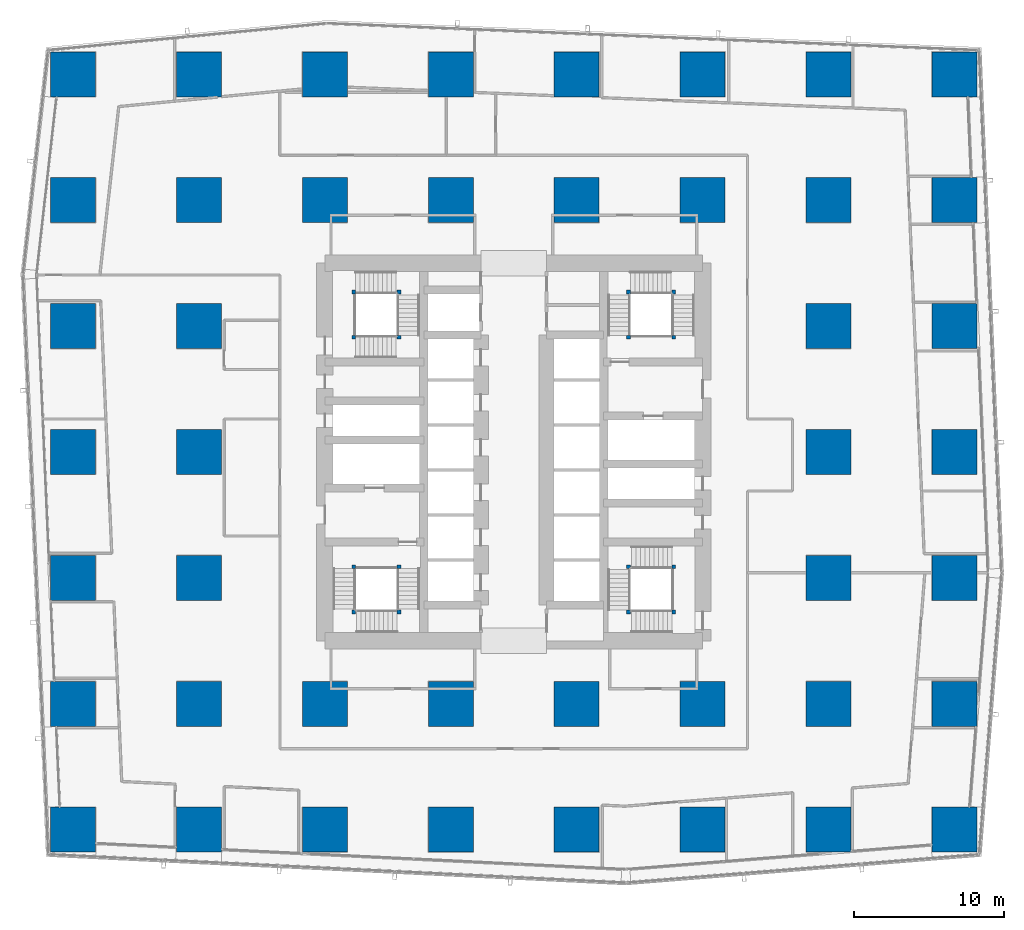
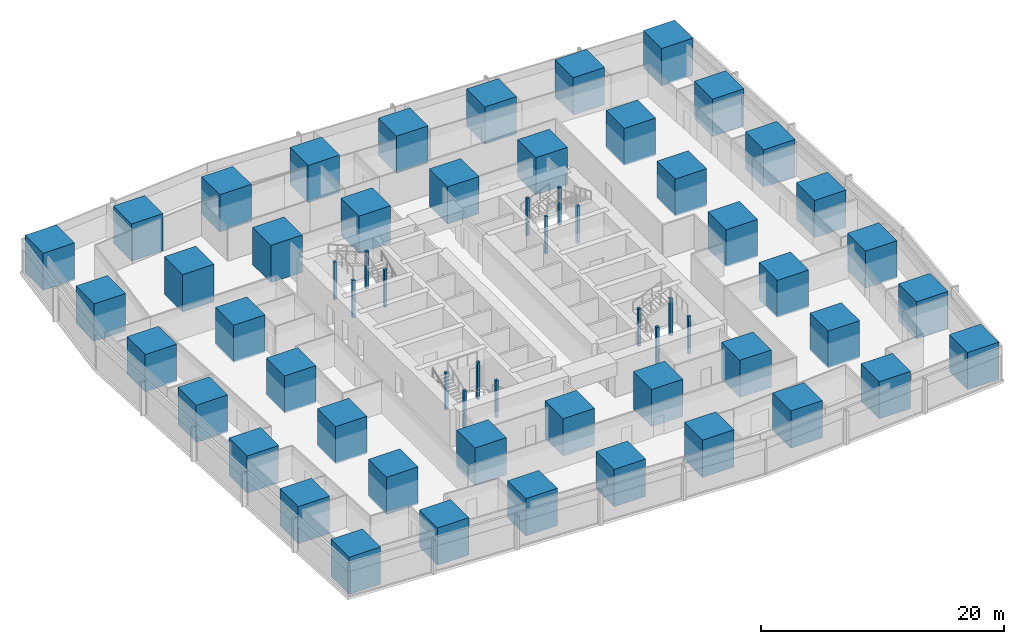
# One storey, part 1 of 44: 60 columns.
"""IFC4 building model written with IfcOpenShell, lengths in metres."""

from ifc_helpers import new_model, si_unit, direction, frame, origin, origin_2d, place, context, subcontext, project, spatial, rectangle, extrude, material, material_profile, profile_set, type_object, element, save


model = new_model("IFC4")

# Units and contexts
model_context = context("Model", 3, precision=1e-05, world=origin(), true_north=direction((0.0, 1.0)))
body_context = subcontext(model_context, "Body", "Model", "MODEL_VIEW")
ifc_project = project(units=[si_unit("LENGTHUNIT", "METRE"), si_unit("AREAUNIT", "SQUARE_METRE"), si_unit("VOLUMEUNIT", "CUBIC_METRE"), si_unit("PLANEANGLEUNIT", "RADIAN"), si_unit("MASSUNIT", "GRAM", prefix="KILO")], contexts=[model_context])

# Site, building, storey
site_placement = place(None, origin())
site = spatial("IfcSite", under=ifc_project, at=site_placement, CompositionType="ELEMENT")
building_placement = place(site_placement, origin())
building = spatial("IfcBuilding", under=site, at=building_placement, Name="Rekha Terrace Tower", CompositionType="ELEMENT")
storey_placement = place(building_placement, frame((0.0, 0.0, 81.64990234375)))
storey = spatial("IfcBuildingStorey", under=building, at=storey_placement, Name="L20", CompositionType="ELEMENT", Elevation=81.64990234375)

# Columns
ifc_material_1 = material(Name="Concrete M70", Category="concrete")
ifc_material_profile_1 = material_profile(ifc_material_1, rectangle(XDim=3.0, YDim=3.0, at=origin_2d()), Name="RC 3000x3000")
ifc_profile_set_1 = profile_set([ifc_material_profile_1], Name="Concrete M70")
column_type_1 = type_object("IfcColumnType", Name="C2T 3000x3000 column", PredefinedType="COLUMN", material=ifc_profile_set_1)
for number, where, z_axis, x_axis, name in (
    (1, (8.39990234375, 8.39990234375, 0.0), (0.0, 0.0, 1.0), (1.0, 0.0, 0.0), "Column C2T 2/B L20"),
    (2, (8.39990234375, 16.800048828125, 0.0), (0.0, 0.0, 1.0), (1.0, 0.0, 0.0), "Column C2T 2/C L20"),
    (3, (8.39990234375, 25.199951171875, 0.0), (0.0, 0.0, 1.0), (1.0, 0.0, 0.0), "Column C2T 2/D L20"),
    (4, (8.39990234375, 33.60009765625, 0.0), (0.0, 0.0, 1.0), (1.0, 0.0, 0.0), "Column C2T 2/E L20"),
    (5, (8.39990234375, 42.0, 0.0), (0.0, 0.0, 1.0), (1.0, 0.0, 0.0), "Column C2T 2/F L20"),
    (6, (8.39990234375, 50.39990234375, 0.0), (0.0, 0.0, 1.0), (1.0, 0.0, 0.0), "Column C2T 2/G L20"),
    (7, (8.39990234375, 58.800048828125, 0.0), (0.0, 0.0, 1.0), (1.0, 0.0, 0.0), "Column C2T 2/H L20"),
    (8, (16.800048828125, 8.39990234375, 0.0), (0.0, 0.0, 1.0), (1.0, 0.0, 0.0), "Column C2T 3/B L20"),
    (9, (16.800048828125, 16.800048828125, 0.0), (0.0, 0.0, 1.0), (1.0, 0.0, 0.0), "Column C2T 3/C L20"),
    (10, (16.800048828125, 25.199951171875, 0.0), (0.0, 0.0, 1.0), (1.0, 0.0, 0.0), "Column C2T 3/D L20"),
    (11, (16.800048828125, 33.60009765625, 0.0), (0.0, 0.0, 1.0), (1.0, 0.0, 0.0), "Column C2T 3/E L20"),
    (12, (16.800048828125, 42.0, 0.0), (0.0, 0.0, 1.0), (1.0, 0.0, 0.0), "Column C2T 3/F L20"),
    (13, (16.800048828125, 50.39990234375, 0.0), (0.0, 0.0, 1.0), (1.0, 0.0, 0.0), "Column C2T 3/G L20"),
    (14, (16.800048828125, 58.800048828125, 0.0), (0.0, 0.0, 1.0), (1.0, 0.0, 0.0), "Column C2T 3/H L20"),
    (15, (25.199951171875, 8.39990234375, 0.0), (0.0, 0.0, 1.0), (1.0, 0.0, 0.0), "Column C2T 4/B L20"),
    (16, (25.199951171875, 16.800048828125, 0.0), (0.0, 0.0, 1.0), (1.0, 0.0, 0.0), "Column C2T 4/C L20"),
    (17, (25.199951171875, 50.39990234375, 0.0), (0.0, 0.0, 1.0), (1.0, 0.0, 0.0), "Column C2T 4/G L20"),
    (18, (25.199951171875, 58.800048828125, 0.0), (0.0, 0.0, 1.0), (1.0, 0.0, 0.0), "Column C2T 4/H L20"),
    (19, (33.60009765625, 8.39990234375, 0.0), (0.0, 0.0, 1.0), (1.0, 0.0, 0.0), "Column C2T 5/B L20"),
    (20, (33.60009765625, 16.800048828125, 0.0), (0.0, 0.0, 1.0), (1.0, 0.0, 0.0), "Column C2T 5/C L20"),
    (21, (33.60009765625, 50.39990234375, 0.0), (0.0, 0.0, 1.0), (1.0, 0.0, 0.0), "Column C2T 5/G L20"),
    (22, (33.60009765625, 58.800048828125, 0.0), (0.0, 0.0, 1.0), (1.0, 0.0, 0.0), "Column C2T 5/H L20"),
    (23, (42.0, 8.39990234375, 0.0), (0.0, 0.0, 1.0), (1.0, 0.0, 0.0), "Column C2T 6/B L20"),
    (24, (42.0, 16.800048828125, 0.0), (0.0, 0.0, 1.0), (1.0, 0.0, 0.0), "Column C2T 6/C L20"),
    (25, (42.0, 50.39990234375, 0.0), (0.0, 0.0, 1.0), (1.0, 0.0, 0.0), "Column C2T 6/G L20"),
    (26, (42.0, 58.800048828125, 0.0), (0.0, 0.0, 1.0), (1.0, 0.0, 0.0), "Column C2T 6/H L20"),
    (27, (50.39990234375, 8.39990234375, 0.0), (0.0, 0.0, 1.0), (1.0, 0.0, 0.0), "Column C2T 7/B L20"),
    (28, (50.39990234375, 16.800048828125, 0.0), (0.0, 0.0, 1.0), (1.0, 0.0, 0.0), "Column C2T 7/C L20"),
    (29, (50.39990234375, 50.39990234375, 0.0), (0.0, 0.0, 1.0), (1.0, 0.0, 0.0), "Column C2T 7/G L20"),
    (30, (50.39990234375, 58.800048828125, 0.0), (0.0, 0.0, 1.0), (1.0, 0.0, 0.0), "Column C2T 7/H L20"),
    (31, (58.800048828125, 8.39990234375, 0.0), (0.0, 0.0, 1.0), (1.0, 0.0, 0.0), "Column C2T 8/B L20"),
    (32, (58.800048828125, 16.800048828125, 0.0), (0.0, 0.0, 1.0), (1.0, 0.0, 0.0), "Column C2T 8/C L20"),
    (33, (58.800048828125, 25.199951171875, 0.0), (0.0, 0.0, 1.0), (1.0, 0.0, 0.0), "Column C2T 8/D L20"),
    (34, (58.800048828125, 33.60009765625, 0.0), (0.0, 0.0, 1.0), (1.0, 0.0, 0.0), "Column C2T 8/E L20"),
    (35, (58.800048828125, 42.0, 0.0), (0.0, 0.0, 1.0), (1.0, 0.0, 0.0), "Column C2T 8/F L20"),
    (36, (58.800048828125, 50.39990234375, 0.0), (0.0, 0.0, 1.0), (1.0, 0.0, 0.0), "Column C2T 8/G L20"),
    (37, (58.800048828125, 58.800048828125, 0.0), (0.0, 0.0, 1.0), (1.0, 0.0, 0.0), "Column C2T 8/H L20"),
    (38, (67.199951171875, 8.39990234375, 0.0), (0.0, 0.0, 1.0), (1.0, 0.0, 0.0), "Column C2T 9/B L20"),
    (39, (67.199951171875, 16.800048828125, 0.0), (0.0, 0.0, 1.0), (1.0, 0.0, 0.0), "Column C2T 9/C L20"),
    (40, (67.199951171875, 25.199951171875, 0.0), (0.0, 0.0, 1.0), (1.0, 0.0, 0.0), "Column C2T 9/D L20"),
    (41, (67.199951171875, 33.60009765625, 0.0), (0.0, 0.0, 1.0), (1.0, 0.0, 0.0), "Column C2T 9/E L20"),
    (42, (67.199951171875, 42.0, 0.0), (0.0, 0.0, 1.0), (1.0, 0.0, 0.0), "Column C2T 9/F L20"),
    (43, (67.199951171875, 50.39990234375, 0.0), (0.0, 0.0, 1.0), (1.0, 0.0, 0.0), "Column C2T 9/G L20"),
    (44, (67.199951171875, 58.800048828125, 0.0), (0.0, 0.0, 1.0), (1.0, 0.0, 0.0), "Column C2T 9/H L20"),
):
    element("IfcColumn", number, at=place(storey_placement, frame(where, z_axis=z_axis, x_axis=x_axis)), inside=storey, type_object=column_type_1, Name=name, PredefinedType="COLUMN", context=body_context, shape_type="SweptSolid", body=[
        extrude(rectangle(XDim=3.0, YDim=3.0, at=origin_2d()), origin(), (0.0, 0.0, 1.0), 3.75),
    ])
ifc_material_2 = material(Name="Concrete M60", Category="concrete")
ifc_material_profile_2 = material_profile(ifc_material_2, rectangle(XDim=0.25, YDim=0.25, at=origin_2d()), Name="RC 250x250")
ifc_profile_set_2 = profile_set([ifc_material_profile_2], Name="Concrete M60")
column_type_2 = type_object("IfcColumnType", Name="NP1 250x250 stair newel post", PredefinedType="COLUMN", material=ifc_profile_set_2)
for number, where, z_axis, x_axis, name in (
    (45, (30.14990234375, 25.949951171875, 0.0), (0.0, 0.0, 1.0), (1.0, 0.0, 0.0), "Stair newel post NP1"),
    (46, (30.14990234375, 22.925048828125, 0.0), (0.0, 0.0, 1.0), (1.0, 0.0, 0.0), "Stair newel post NP1"),
    (47, (27.125, 22.925048828125, 0.0), (0.0, 0.0, 1.0), (1.0, 0.0, 0.0), "Stair newel post NP1"),
    (48, (27.125, 25.949951171875, 0.0), (0.0, 0.0, 1.0), (1.0, 0.0, 0.0), "Stair newel post NP1"),
    (49, (45.449951171875, 41.25, 0.0), (0.0, 0.0, 1.0), (1.0, 0.0, 0.0), "Stair newel post NP1"),
    (50, (45.449951171875, 44.27490234375, 0.0), (0.0, 0.0, 1.0), (1.0, 0.0, 0.0), "Stair newel post NP1"),
    (51, (48.47509765625, 44.27490234375, 0.0), (0.0, 0.0, 1.0), (1.0, 0.0, 0.0), "Stair newel post NP1"),
    (52, (48.47509765625, 41.25, 0.0), (0.0, 0.0, 1.0), (1.0, 0.0, 0.0), "Stair newel post NP1"),
    (53, (48.47509765625, 22.925048828125, 0.0), (0.0, 0.0, 1.0), (1.0, 0.0, 0.0), "Stair newel post NP1"),
    (54, (45.449951171875, 22.925048828125, 0.0), (0.0, 0.0, 1.0), (1.0, 0.0, 0.0), "Stair newel post NP1"),
    (55, (45.449951171875, 25.949951171875, 0.0), (0.0, 0.0, 1.0), (1.0, 0.0, 0.0), "Stair newel post NP1"),
    (56, (48.47509765625, 25.949951171875, 0.0), (0.0, 0.0, 1.0), (1.0, 0.0, 0.0), "Stair newel post NP1"),
    (57, (27.125, 41.25, 0.0), (0.0, 0.0, 1.0), (1.0, 0.0, 0.0), "Stair newel post NP1"),
    (58, (30.14990234375, 41.25, 0.0), (0.0, 0.0, 1.0), (1.0, 0.0, 0.0), "Stair newel post NP1"),
    (59, (30.14990234375, 44.27490234375, 0.0), (0.0, 0.0, 1.0), (1.0, 0.0, 0.0), "Stair newel post NP1"),
    (60, (27.125, 44.27490234375, 0.0), (0.0, 0.0, 1.0), (1.0, 0.0, 0.0), "Stair newel post NP1"),
):
    element("IfcColumn", number, at=place(storey_placement, frame(where, z_axis=z_axis, x_axis=x_axis)), inside=storey, type_object=column_type_2, Name=name, PredefinedType="COLUMN", context=body_context, shape_type="SweptSolid", body=[
        extrude(rectangle(XDim=0.25, YDim=0.25, at=origin_2d()), origin(), (0.0, 0.0, 1.0), 3.75),
    ])

save(model, "model.ifc")
